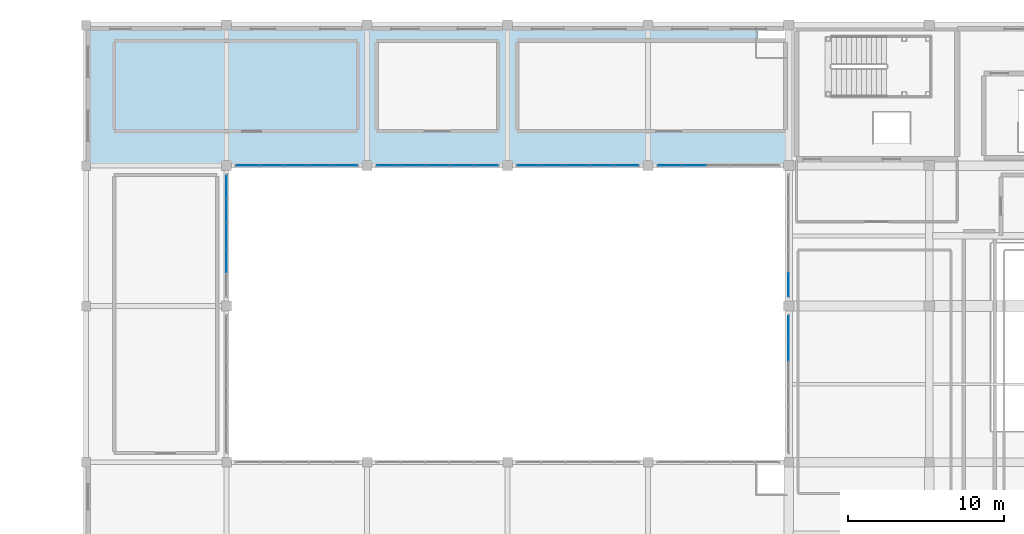
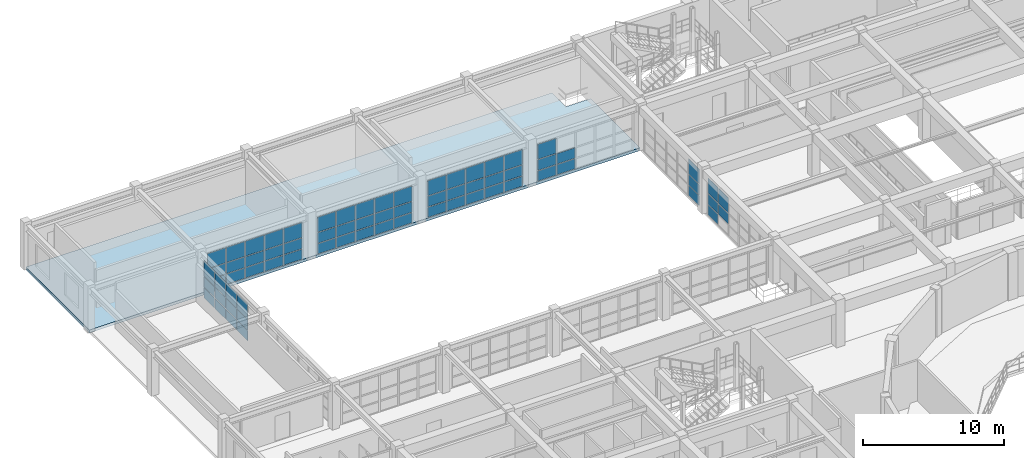
# One storey, part 86 of 110: 70 plates, 1 slab, 7 elements without a shape of their own.
"""IFC4 building model written with IfcOpenShell, lengths in metres."""

from ifc_helpers import new_model, si_unit, direction, frame, origin, origin_2d, place, context, subcontext, project, spatial, polyline, rectangle, outline, extrude, material, layer, layer_set, type_object, element, aggregate, save


model = new_model("IFC4")

# Units and contexts
model_context = context("Model", 3, precision=1e-05, world=origin(), true_north=direction((0.0, 1.0)))
body_context = subcontext(model_context, "Body", "Model", "MODEL_VIEW")
ifc_project = project(units=[si_unit("LENGTHUNIT", "METRE"), si_unit("AREAUNIT", "SQUARE_METRE"), si_unit("VOLUMEUNIT", "CUBIC_METRE"), si_unit("PLANEANGLEUNIT", "RADIAN"), si_unit("MASSUNIT", "GRAM", prefix="KILO")], contexts=[model_context])

# Site, building, storey
site_placement = place(None, origin())
site = spatial("IfcSite", under=ifc_project, at=site_placement, CompositionType="ELEMENT")
building_placement = place(site_placement, origin())
building = spatial("IfcBuilding", under=site, at=building_placement, Name="Miravela Opera House", CompositionType="ELEMENT")
storey_placement = place(building_placement, frame((0.0, 0.0, 13.60009765625)))
storey = spatial("IfcBuildingStorey", under=building, at=storey_placement, Name="L03", CompositionType="ELEMENT", Elevation=13.60009765625)

# Curtain wall, plates
ifc_material_1 = material(Name="Anodised architectural bronze aluminium 6063-T6", Category="aluminium")
curtain_wall_type = type_object("IfcCurtainWallType", Name="ARC-CW-05", PredefinedType="NOTDEFINED", material=ifc_material_1)
curtain_wall_1_placement = place(storey_placement, origin())
curtain_wall_1 = element("IfcCurtainWall", 1, at=curtain_wall_1_placement, inside=storey, type_object=curtain_wall_type, Name="Courtyard Arcade Curtain Wall CW-L03-102", PredefinedType="NOTDEFINED")
ifc_material_2 = material(Name="Acoustic laminated low-E insulating glass", Category="glass")
ifc_layer_1 = layer(ifc_material_2, 0.028076171875)
ifc_layer_set_1 = layer_set([ifc_layer_1])
plate_type = type_object("IfcPlateType", Name="ARC-CWP-28", PredefinedType="CURTAIN_PANEL", material=ifc_layer_set_1)
plate_1_placement = place(storey_placement, frame((28.37890625, 103.0, 0.06005859375), z_axis=(0.0, 0.0, 1.0), x_axis=(1.0, 0.0, 0.0)))
plate_1 = element("IfcPlate", 2, at=plate_1_placement, type_object=plate_type, Name="CW-05 panel 1.1", PredefinedType="CURTAIN_PANEL", context=body_context, shape_type="SweptSolid", body=[
    extrude(rectangle(XDim=1.47802734375, YDim=0.028076171875, at=origin_2d()), origin(), (0.0, 0.0, 1.0), 0.860107421875),
])
plate_2_placement = place(storey_placement, frame((28.37890625, 103.0, 0.97998046875), z_axis=(0.0, 0.0, 1.0), x_axis=(1.0, 0.0, 0.0)))
plate_2 = element("IfcPlate", 3, at=plate_2_placement, type_object=plate_type, Name="CW-05 panel 1.2", PredefinedType="CURTAIN_PANEL", context=body_context, shape_type="SweptSolid", body=[
    extrude(rectangle(XDim=1.47802734375, YDim=0.028076171875, at=origin_2d()), origin(), (0.0, 0.0, 1.0), 0.898193359375),
])
plate_3_placement = place(storey_placement, frame((28.37890625, 103.0, 1.93798828125), z_axis=(0.0, 0.0, 1.0), x_axis=(1.0, 0.0, 0.0)))
plate_3 = element("IfcPlate", 4, at=plate_3_placement, type_object=plate_type, Name="CW-05 panel 1.3", PredefinedType="CURTAIN_PANEL", context=body_context, shape_type="SweptSolid", body=[
    extrude(rectangle(XDim=1.47802734375, YDim=0.028076171875, at=origin_2d()), origin(), (0.0, 0.0, 1.0), 1.291748046875),
])
plate_4_placement = place(storey_placement, frame((29.931884765625, 103.0, 0.06005859375), z_axis=(0.0, 0.0, 1.0), x_axis=(1.0, 0.0, 0.0)))
plate_4 = element("IfcPlate", 5, at=plate_4_placement, type_object=plate_type, Name="CW-05 panel 2.1", PredefinedType="CURTAIN_PANEL", context=body_context, shape_type="SweptSolid", body=[
    extrude(rectangle(XDim=1.508056640625, YDim=0.028076171875, at=origin_2d()), origin(), (0.0, 0.0, 1.0), 0.860107421875),
])
plate_5_placement = place(storey_placement, frame((29.931884765625, 103.0, 0.97998046875), z_axis=(0.0, 0.0, 1.0), x_axis=(1.0, 0.0, 0.0)))
plate_5 = element("IfcPlate", 6, at=plate_5_placement, type_object=plate_type, Name="CW-05 panel 2.2", PredefinedType="CURTAIN_PANEL", context=body_context, shape_type="SweptSolid", body=[
    extrude(rectangle(XDim=1.508056640625, YDim=0.028076171875, at=origin_2d()), origin(), (0.0, 0.0, 1.0), 0.898193359375),
])
plate_6_placement = place(storey_placement, frame((29.931884765625, 103.0, 1.93798828125), z_axis=(0.0, 0.0, 1.0), x_axis=(1.0, 0.0, 0.0)))
plate_6 = element("IfcPlate", 7, at=plate_6_placement, type_object=plate_type, Name="CW-05 panel 2.3", PredefinedType="CURTAIN_PANEL", context=body_context, shape_type="SweptSolid", body=[
    extrude(rectangle(XDim=1.508056640625, YDim=0.028076171875, at=origin_2d()), origin(), (0.0, 0.0, 1.0), 1.291748046875),
])
plate_7_placement = place(storey_placement, frame((31.5, 103.0, 0.06005859375), z_axis=(0.0, 0.0, 1.0), x_axis=(1.0, 0.0, 0.0)))
plate_7 = element("IfcPlate", 8, at=plate_7_placement, type_object=plate_type, Name="CW-05 panel 3.1", PredefinedType="CURTAIN_PANEL", context=body_context, shape_type="SweptSolid", body=[
    extrude(rectangle(XDim=1.508056640625, YDim=0.028076171875, at=origin_2d()), origin(), (0.0, 0.0, 1.0), 0.860107421875),
])
plate_8_placement = place(storey_placement, frame((31.5, 103.0, 0.97998046875), z_axis=(0.0, 0.0, 1.0), x_axis=(1.0, 0.0, 0.0)))
plate_8 = element("IfcPlate", 9, at=plate_8_placement, type_object=plate_type, Name="CW-05 panel 3.2", PredefinedType="CURTAIN_PANEL", context=body_context, shape_type="SweptSolid", body=[
    extrude(rectangle(XDim=1.508056640625, YDim=0.028076171875, at=origin_2d()), origin(), (0.0, 0.0, 1.0), 0.898193359375),
])
plate_9_placement = place(storey_placement, frame((31.5, 103.0, 1.93798828125), z_axis=(0.0, 0.0, 1.0), x_axis=(1.0, 0.0, 0.0)))
plate_9 = element("IfcPlate", 10, at=plate_9_placement, type_object=plate_type, Name="CW-05 panel 3.3", PredefinedType="CURTAIN_PANEL", context=body_context, shape_type="SweptSolid", body=[
    extrude(rectangle(XDim=1.508056640625, YDim=0.028076171875, at=origin_2d()), origin(), (0.0, 0.0, 1.0), 1.291748046875),
])
plate_10_placement = place(storey_placement, frame((33.068115234375, 103.0, 0.06005859375), z_axis=(0.0, 0.0, 1.0), x_axis=(1.0, 0.0, 0.0)))
plate_10 = element("IfcPlate", 11, at=plate_10_placement, type_object=plate_type, Name="CW-05 panel 4.1", PredefinedType="CURTAIN_PANEL", context=body_context, shape_type="SweptSolid", body=[
    extrude(rectangle(XDim=1.508056640625, YDim=0.028076171875, at=origin_2d()), origin(), (0.0, 0.0, 1.0), 0.860107421875),
])
plate_11_placement = place(storey_placement, frame((33.068115234375, 103.0, 0.97998046875), z_axis=(0.0, 0.0, 1.0), x_axis=(1.0, 0.0, 0.0)))
plate_11 = element("IfcPlate", 12, at=plate_11_placement, type_object=plate_type, Name="CW-05 panel 4.2", PredefinedType="CURTAIN_PANEL", context=body_context, shape_type="SweptSolid", body=[
    extrude(rectangle(XDim=1.508056640625, YDim=0.028076171875, at=origin_2d()), origin(), (0.0, 0.0, 1.0), 0.898193359375),
])
plate_12_placement = place(storey_placement, frame((33.068115234375, 103.0, 1.93798828125), z_axis=(0.0, 0.0, 1.0), x_axis=(1.0, 0.0, 0.0)))
plate_12 = element("IfcPlate", 13, at=plate_12_placement, type_object=plate_type, Name="CW-05 panel 4.3", PredefinedType="CURTAIN_PANEL", context=body_context, shape_type="SweptSolid", body=[
    extrude(rectangle(XDim=1.508056640625, YDim=0.028076171875, at=origin_2d()), origin(), (0.0, 0.0, 1.0), 1.291748046875),
])
plate_13_placement = place(storey_placement, frame((34.62109375, 103.0, 0.06005859375), z_axis=(0.0, 0.0, 1.0), x_axis=(1.0, 0.0, 0.0)))
plate_13 = element("IfcPlate", 14, at=plate_13_placement, type_object=plate_type, Name="CW-05 panel 5.1", PredefinedType="CURTAIN_PANEL", context=body_context, shape_type="SweptSolid", body=[
    extrude(rectangle(XDim=1.47802734375, YDim=0.028076171875, at=origin_2d()), origin(), (0.0, 0.0, 1.0), 0.860107421875),
])
plate_14_placement = place(storey_placement, frame((34.62109375, 103.0, 0.97998046875), z_axis=(0.0, 0.0, 1.0), x_axis=(1.0, 0.0, 0.0)))
plate_14 = element("IfcPlate", 15, at=plate_14_placement, type_object=plate_type, Name="CW-05 panel 5.2", PredefinedType="CURTAIN_PANEL", context=body_context, shape_type="SweptSolid", body=[
    extrude(rectangle(XDim=1.47802734375, YDim=0.028076171875, at=origin_2d()), origin(), (0.0, 0.0, 1.0), 0.898193359375),
])
plate_15_placement = place(storey_placement, frame((34.62109375, 103.0, 1.93798828125), z_axis=(0.0, 0.0, 1.0), x_axis=(1.0, 0.0, 0.0)))
plate_15 = element("IfcPlate", 16, at=plate_15_placement, type_object=plate_type, Name="CW-05 panel 5.3", PredefinedType="CURTAIN_PANEL", context=body_context, shape_type="SweptSolid", body=[
    extrude(rectangle(XDim=1.47802734375, YDim=0.028076171875, at=origin_2d()), origin(), (0.0, 0.0, 1.0), 1.291748046875),
])
aggregate(curtain_wall_1, [plate_1, plate_2, plate_3, plate_4, plate_5, plate_6, plate_7, plate_8, plate_9, plate_10, plate_11, plate_12, plate_13, plate_14, plate_15])

curtain_wall_2_placement = place(storey_placement, origin())
curtain_wall_2 = element("IfcCurtainWall", 17, at=curtain_wall_2_placement, inside=storey, type_object=curtain_wall_type, Name="Courtyard Arcade Curtain Wall CW-L03-104", PredefinedType="NOTDEFINED")
plate_16_placement = place(storey_placement, frame((37.37890625, 103.0, 0.06005859375), z_axis=(0.0, 0.0, 1.0), x_axis=(1.0, 0.0, 0.0)))
plate_16 = element("IfcPlate", 18, at=plate_16_placement, type_object=plate_type, Name="CW-05 panel 1.1", PredefinedType="CURTAIN_PANEL", context=body_context, shape_type="SweptSolid", body=[
    extrude(rectangle(XDim=1.47802734375, YDim=0.028076171875, at=origin_2d()), origin(), (0.0, 0.0, 1.0), 0.860107421875),
])
plate_17_placement = place(storey_placement, frame((37.37890625, 103.0, 0.97998046875), z_axis=(0.0, 0.0, 1.0), x_axis=(1.0, 0.0, 0.0)))
plate_17 = element("IfcPlate", 19, at=plate_17_placement, type_object=plate_type, Name="CW-05 panel 1.2", PredefinedType="CURTAIN_PANEL", context=body_context, shape_type="SweptSolid", body=[
    extrude(rectangle(XDim=1.47802734375, YDim=0.028076171875, at=origin_2d()), origin(), (0.0, 0.0, 1.0), 0.898193359375),
])
plate_18_placement = place(storey_placement, frame((37.37890625, 103.0, 1.93798828125), z_axis=(0.0, 0.0, 1.0), x_axis=(1.0, 0.0, 0.0)))
plate_18 = element("IfcPlate", 20, at=plate_18_placement, type_object=plate_type, Name="CW-05 panel 1.3", PredefinedType="CURTAIN_PANEL", context=body_context, shape_type="SweptSolid", body=[
    extrude(rectangle(XDim=1.47802734375, YDim=0.028076171875, at=origin_2d()), origin(), (0.0, 0.0, 1.0), 1.291748046875),
])
plate_19_placement = place(storey_placement, frame((38.931884765625, 103.0, 0.06005859375), z_axis=(0.0, 0.0, 1.0), x_axis=(1.0, 0.0, 0.0)))
plate_19 = element("IfcPlate", 21, at=plate_19_placement, type_object=plate_type, Name="CW-05 panel 2.1", PredefinedType="CURTAIN_PANEL", context=body_context, shape_type="SweptSolid", body=[
    extrude(rectangle(XDim=1.508056640625, YDim=0.028076171875, at=origin_2d()), origin(), (0.0, 0.0, 1.0), 0.860107421875),
])
plate_20_placement = place(storey_placement, frame((38.931884765625, 103.0, 0.97998046875), z_axis=(0.0, 0.0, 1.0), x_axis=(1.0, 0.0, 0.0)))
plate_20 = element("IfcPlate", 22, at=plate_20_placement, type_object=plate_type, Name="CW-05 panel 2.2", PredefinedType="CURTAIN_PANEL", context=body_context, shape_type="SweptSolid", body=[
    extrude(rectangle(XDim=1.508056640625, YDim=0.028076171875, at=origin_2d()), origin(), (0.0, 0.0, 1.0), 0.898193359375),
])
plate_21_placement = place(storey_placement, frame((38.931884765625, 103.0, 1.93798828125), z_axis=(0.0, 0.0, 1.0), x_axis=(1.0, 0.0, 0.0)))
plate_21 = element("IfcPlate", 23, at=plate_21_placement, type_object=plate_type, Name="CW-05 panel 2.3", PredefinedType="CURTAIN_PANEL", context=body_context, shape_type="SweptSolid", body=[
    extrude(rectangle(XDim=1.508056640625, YDim=0.028076171875, at=origin_2d()), origin(), (0.0, 0.0, 1.0), 1.291748046875),
])
plate_22_placement = place(storey_placement, frame((40.5, 103.0, 0.06005859375), z_axis=(0.0, 0.0, 1.0), x_axis=(1.0, 0.0, 0.0)))
plate_22 = element("IfcPlate", 24, at=plate_22_placement, type_object=plate_type, Name="CW-05 panel 3.1", PredefinedType="CURTAIN_PANEL", context=body_context, shape_type="SweptSolid", body=[
    extrude(rectangle(XDim=1.508056640625, YDim=0.028076171875, at=origin_2d()), origin(), (0.0, 0.0, 1.0), 0.860107421875),
])
plate_23_placement = place(storey_placement, frame((40.5, 103.0, 0.97998046875), z_axis=(0.0, 0.0, 1.0), x_axis=(1.0, 0.0, 0.0)))
plate_23 = element("IfcPlate", 25, at=plate_23_placement, type_object=plate_type, Name="CW-05 panel 3.2", PredefinedType="CURTAIN_PANEL", context=body_context, shape_type="SweptSolid", body=[
    extrude(rectangle(XDim=1.508056640625, YDim=0.028076171875, at=origin_2d()), origin(), (0.0, 0.0, 1.0), 0.898193359375),
])
plate_24_placement = place(storey_placement, frame((40.5, 103.0, 1.93798828125), z_axis=(0.0, 0.0, 1.0), x_axis=(1.0, 0.0, 0.0)))
plate_24 = element("IfcPlate", 26, at=plate_24_placement, type_object=plate_type, Name="CW-05 panel 3.3", PredefinedType="CURTAIN_PANEL", context=body_context, shape_type="SweptSolid", body=[
    extrude(rectangle(XDim=1.508056640625, YDim=0.028076171875, at=origin_2d()), origin(), (0.0, 0.0, 1.0), 1.291748046875),
])
plate_25_placement = place(storey_placement, frame((42.068115234375, 103.0, 0.06005859375), z_axis=(0.0, 0.0, 1.0), x_axis=(1.0, 0.0, 0.0)))
plate_25 = element("IfcPlate", 27, at=plate_25_placement, type_object=plate_type, Name="CW-05 panel 4.1", PredefinedType="CURTAIN_PANEL", context=body_context, shape_type="SweptSolid", body=[
    extrude(rectangle(XDim=1.508056640625, YDim=0.028076171875, at=origin_2d()), origin(), (0.0, 0.0, 1.0), 0.860107421875),
])
plate_26_placement = place(storey_placement, frame((42.068115234375, 103.0, 0.97998046875), z_axis=(0.0, 0.0, 1.0), x_axis=(1.0, 0.0, 0.0)))
plate_26 = element("IfcPlate", 28, at=plate_26_placement, type_object=plate_type, Name="CW-05 panel 4.2", PredefinedType="CURTAIN_PANEL", context=body_context, shape_type="SweptSolid", body=[
    extrude(rectangle(XDim=1.508056640625, YDim=0.028076171875, at=origin_2d()), origin(), (0.0, 0.0, 1.0), 0.898193359375),
])
plate_27_placement = place(storey_placement, frame((42.068115234375, 103.0, 1.93798828125), z_axis=(0.0, 0.0, 1.0), x_axis=(1.0, 0.0, 0.0)))
plate_27 = element("IfcPlate", 29, at=plate_27_placement, type_object=plate_type, Name="CW-05 panel 4.3", PredefinedType="CURTAIN_PANEL", context=body_context, shape_type="SweptSolid", body=[
    extrude(rectangle(XDim=1.508056640625, YDim=0.028076171875, at=origin_2d()), origin(), (0.0, 0.0, 1.0), 1.291748046875),
])
plate_28_placement = place(storey_placement, frame((43.62109375, 103.0, 0.06005859375), z_axis=(0.0, 0.0, 1.0), x_axis=(1.0, 0.0, 0.0)))
plate_28 = element("IfcPlate", 30, at=plate_28_placement, type_object=plate_type, Name="CW-05 panel 5.1", PredefinedType="CURTAIN_PANEL", context=body_context, shape_type="SweptSolid", body=[
    extrude(rectangle(XDim=1.47802734375, YDim=0.028076171875, at=origin_2d()), origin(), (0.0, 0.0, 1.0), 0.860107421875),
])
plate_29_placement = place(storey_placement, frame((43.62109375, 103.0, 0.97998046875), z_axis=(0.0, 0.0, 1.0), x_axis=(1.0, 0.0, 0.0)))
plate_29 = element("IfcPlate", 31, at=plate_29_placement, type_object=plate_type, Name="CW-05 panel 5.2", PredefinedType="CURTAIN_PANEL", context=body_context, shape_type="SweptSolid", body=[
    extrude(rectangle(XDim=1.47802734375, YDim=0.028076171875, at=origin_2d()), origin(), (0.0, 0.0, 1.0), 0.898193359375),
])
plate_30_placement = place(storey_placement, frame((43.62109375, 103.0, 1.93798828125), z_axis=(0.0, 0.0, 1.0), x_axis=(1.0, 0.0, 0.0)))
plate_30 = element("IfcPlate", 32, at=plate_30_placement, type_object=plate_type, Name="CW-05 panel 5.3", PredefinedType="CURTAIN_PANEL", context=body_context, shape_type="SweptSolid", body=[
    extrude(rectangle(XDim=1.47802734375, YDim=0.028076171875, at=origin_2d()), origin(), (0.0, 0.0, 1.0), 1.291748046875),
])
aggregate(curtain_wall_2, [plate_16, plate_17, plate_18, plate_19, plate_20, plate_21, plate_22, plate_23, plate_24, plate_25, plate_26, plate_27, plate_28, plate_29, plate_30])

curtain_wall_3_placement = place(storey_placement, origin())
curtain_wall_3 = element("IfcCurtainWall", 33, at=curtain_wall_3_placement, inside=storey, type_object=curtain_wall_type, Name="Courtyard Arcade Curtain Wall CW-L03-106", PredefinedType="NOTDEFINED")
plate_31_placement = place(storey_placement, frame((46.37890625, 103.0, 0.06005859375), z_axis=(0.0, 0.0, 1.0), x_axis=(1.0, 0.0, 0.0)))
plate_31 = element("IfcPlate", 34, at=plate_31_placement, type_object=plate_type, Name="CW-05 panel 1.1", PredefinedType="CURTAIN_PANEL", context=body_context, shape_type="SweptSolid", body=[
    extrude(rectangle(XDim=1.47802734375, YDim=0.028076171875, at=origin_2d()), origin(), (0.0, 0.0, 1.0), 0.860107421875),
])
plate_32_placement = place(storey_placement, frame((46.37890625, 103.0, 0.97998046875), z_axis=(0.0, 0.0, 1.0), x_axis=(1.0, 0.0, 0.0)))
plate_32 = element("IfcPlate", 35, at=plate_32_placement, type_object=plate_type, Name="CW-05 panel 1.2", PredefinedType="CURTAIN_PANEL", context=body_context, shape_type="SweptSolid", body=[
    extrude(rectangle(XDim=1.47802734375, YDim=0.028076171875, at=origin_2d()), origin(), (0.0, 0.0, 1.0), 0.898193359375),
])
plate_33_placement = place(storey_placement, frame((46.37890625, 103.0, 1.93798828125), z_axis=(0.0, 0.0, 1.0), x_axis=(1.0, 0.0, 0.0)))
plate_33 = element("IfcPlate", 36, at=plate_33_placement, type_object=plate_type, Name="CW-05 panel 1.3", PredefinedType="CURTAIN_PANEL", context=body_context, shape_type="SweptSolid", body=[
    extrude(rectangle(XDim=1.47802734375, YDim=0.028076171875, at=origin_2d()), origin(), (0.0, 0.0, 1.0), 1.291748046875),
])
plate_34_placement = place(storey_placement, frame((47.931884765625, 103.0, 0.06005859375), z_axis=(0.0, 0.0, 1.0), x_axis=(1.0, 0.0, 0.0)))
plate_34 = element("IfcPlate", 37, at=plate_34_placement, type_object=plate_type, Name="CW-05 panel 2.1", PredefinedType="CURTAIN_PANEL", context=body_context, shape_type="SweptSolid", body=[
    extrude(rectangle(XDim=1.508056640625, YDim=0.028076171875, at=origin_2d()), origin(), (0.0, 0.0, 1.0), 0.860107421875),
])
plate_35_placement = place(storey_placement, frame((47.931884765625, 103.0, 0.97998046875), z_axis=(0.0, 0.0, 1.0), x_axis=(1.0, 0.0, 0.0)))
plate_35 = element("IfcPlate", 38, at=plate_35_placement, type_object=plate_type, Name="CW-05 panel 2.2", PredefinedType="CURTAIN_PANEL", context=body_context, shape_type="SweptSolid", body=[
    extrude(rectangle(XDim=1.508056640625, YDim=0.028076171875, at=origin_2d()), origin(), (0.0, 0.0, 1.0), 0.898193359375),
])
plate_36_placement = place(storey_placement, frame((47.931884765625, 103.0, 1.93798828125), z_axis=(0.0, 0.0, 1.0), x_axis=(1.0, 0.0, 0.0)))
plate_36 = element("IfcPlate", 39, at=plate_36_placement, type_object=plate_type, Name="CW-05 panel 2.3", PredefinedType="CURTAIN_PANEL", context=body_context, shape_type="SweptSolid", body=[
    extrude(rectangle(XDim=1.508056640625, YDim=0.028076171875, at=origin_2d()), origin(), (0.0, 0.0, 1.0), 1.291748046875),
])
plate_37_placement = place(storey_placement, frame((49.5, 103.0, 0.06005859375), z_axis=(0.0, 0.0, 1.0), x_axis=(1.0, 0.0, 0.0)))
plate_37 = element("IfcPlate", 40, at=plate_37_placement, type_object=plate_type, Name="CW-05 panel 3.1", PredefinedType="CURTAIN_PANEL", context=body_context, shape_type="SweptSolid", body=[
    extrude(rectangle(XDim=1.508056640625, YDim=0.028076171875, at=origin_2d()), origin(), (0.0, 0.0, 1.0), 0.860107421875),
])
plate_38_placement = place(storey_placement, frame((49.5, 103.0, 0.97998046875), z_axis=(0.0, 0.0, 1.0), x_axis=(1.0, 0.0, 0.0)))
plate_38 = element("IfcPlate", 41, at=plate_38_placement, type_object=plate_type, Name="CW-05 panel 3.2", PredefinedType="CURTAIN_PANEL", context=body_context, shape_type="SweptSolid", body=[
    extrude(rectangle(XDim=1.508056640625, YDim=0.028076171875, at=origin_2d()), origin(), (0.0, 0.0, 1.0), 0.898193359375),
])
plate_39_placement = place(storey_placement, frame((49.5, 103.0, 1.93798828125), z_axis=(0.0, 0.0, 1.0), x_axis=(1.0, 0.0, 0.0)))
plate_39 = element("IfcPlate", 42, at=plate_39_placement, type_object=plate_type, Name="CW-05 panel 3.3", PredefinedType="CURTAIN_PANEL", context=body_context, shape_type="SweptSolid", body=[
    extrude(rectangle(XDim=1.508056640625, YDim=0.028076171875, at=origin_2d()), origin(), (0.0, 0.0, 1.0), 1.291748046875),
])
plate_40_placement = place(storey_placement, frame((51.068115234375, 103.0, 0.06005859375), z_axis=(0.0, 0.0, 1.0), x_axis=(1.0, 0.0, 0.0)))
plate_40 = element("IfcPlate", 43, at=plate_40_placement, type_object=plate_type, Name="CW-05 panel 4.1", PredefinedType="CURTAIN_PANEL", context=body_context, shape_type="SweptSolid", body=[
    extrude(rectangle(XDim=1.508056640625, YDim=0.028076171875, at=origin_2d()), origin(), (0.0, 0.0, 1.0), 0.860107421875),
])
plate_41_placement = place(storey_placement, frame((51.068115234375, 103.0, 0.97998046875), z_axis=(0.0, 0.0, 1.0), x_axis=(1.0, 0.0, 0.0)))
plate_41 = element("IfcPlate", 44, at=plate_41_placement, type_object=plate_type, Name="CW-05 panel 4.2", PredefinedType="CURTAIN_PANEL", context=body_context, shape_type="SweptSolid", body=[
    extrude(rectangle(XDim=1.508056640625, YDim=0.028076171875, at=origin_2d()), origin(), (0.0, 0.0, 1.0), 0.898193359375),
])
plate_42_placement = place(storey_placement, frame((51.068115234375, 103.0, 1.93798828125), z_axis=(0.0, 0.0, 1.0), x_axis=(1.0, 0.0, 0.0)))
plate_42 = element("IfcPlate", 45, at=plate_42_placement, type_object=plate_type, Name="CW-05 panel 4.3", PredefinedType="CURTAIN_PANEL", context=body_context, shape_type="SweptSolid", body=[
    extrude(rectangle(XDim=1.508056640625, YDim=0.028076171875, at=origin_2d()), origin(), (0.0, 0.0, 1.0), 1.291748046875),
])
plate_43_placement = place(storey_placement, frame((52.62109375, 103.0, 0.06005859375), z_axis=(0.0, 0.0, 1.0), x_axis=(1.0, 0.0, 0.0)))
plate_43 = element("IfcPlate", 46, at=plate_43_placement, type_object=plate_type, Name="CW-05 panel 5.1", PredefinedType="CURTAIN_PANEL", context=body_context, shape_type="SweptSolid", body=[
    extrude(rectangle(XDim=1.47802734375, YDim=0.028076171875, at=origin_2d()), origin(), (0.0, 0.0, 1.0), 0.860107421875),
])
plate_44_placement = place(storey_placement, frame((52.62109375, 103.0, 0.97998046875), z_axis=(0.0, 0.0, 1.0), x_axis=(1.0, 0.0, 0.0)))
plate_44 = element("IfcPlate", 47, at=plate_44_placement, type_object=plate_type, Name="CW-05 panel 5.2", PredefinedType="CURTAIN_PANEL", context=body_context, shape_type="SweptSolid", body=[
    extrude(rectangle(XDim=1.47802734375, YDim=0.028076171875, at=origin_2d()), origin(), (0.0, 0.0, 1.0), 0.898193359375),
])
plate_45_placement = place(storey_placement, frame((52.62109375, 103.0, 1.93798828125), z_axis=(0.0, 0.0, 1.0), x_axis=(1.0, 0.0, 0.0)))
plate_45 = element("IfcPlate", 48, at=plate_45_placement, type_object=plate_type, Name="CW-05 panel 5.3", PredefinedType="CURTAIN_PANEL", context=body_context, shape_type="SweptSolid", body=[
    extrude(rectangle(XDim=1.47802734375, YDim=0.028076171875, at=origin_2d()), origin(), (0.0, 0.0, 1.0), 1.291748046875),
])
aggregate(curtain_wall_3, [plate_31, plate_32, plate_33, plate_34, plate_35, plate_36, plate_37, plate_38, plate_39, plate_40, plate_41, plate_42, plate_43, plate_44, plate_45])

curtain_wall_4_placement = place(storey_placement, origin())
curtain_wall_4 = element("IfcCurtainWall", 49, at=curtain_wall_4_placement, inside=storey, type_object=curtain_wall_type, Name="Courtyard Arcade Curtain Wall CW-L03-108", PredefinedType="NOTDEFINED")
plate_46_placement = place(storey_placement, frame((55.37890625, 103.0, 0.06005859375), z_axis=(0.0, 0.0, 1.0), x_axis=(1.0, 0.0, 0.0)))
plate_46 = element("IfcPlate", 50, at=plate_46_placement, type_object=plate_type, Name="CW-05 panel 1.1", PredefinedType="CURTAIN_PANEL", context=body_context, shape_type="SweptSolid", body=[
    extrude(rectangle(XDim=1.47802734375, YDim=0.028076171875, at=origin_2d()), origin(), (0.0, 0.0, 1.0), 0.860107421875),
])
plate_47_placement = place(storey_placement, frame((55.37890625, 103.0, 0.97998046875), z_axis=(0.0, 0.0, 1.0), x_axis=(1.0, 0.0, 0.0)))
plate_47 = element("IfcPlate", 51, at=plate_47_placement, type_object=plate_type, Name="CW-05 panel 1.2", PredefinedType="CURTAIN_PANEL", context=body_context, shape_type="SweptSolid", body=[
    extrude(rectangle(XDim=1.47802734375, YDim=0.028076171875, at=origin_2d()), origin(), (0.0, 0.0, 1.0), 0.898193359375),
])
plate_48_placement = place(storey_placement, frame((55.37890625, 103.0, 1.93798828125), z_axis=(0.0, 0.0, 1.0), x_axis=(1.0, 0.0, 0.0)))
plate_48 = element("IfcPlate", 52, at=plate_48_placement, type_object=plate_type, Name="CW-05 panel 1.3", PredefinedType="CURTAIN_PANEL", context=body_context, shape_type="SweptSolid", body=[
    extrude(rectangle(XDim=1.47802734375, YDim=0.028076171875, at=origin_2d()), origin(), (0.0, 0.0, 1.0), 1.291748046875),
])
plate_49_placement = place(storey_placement, frame((56.931884765625, 103.0, 0.06005859375), z_axis=(0.0, 0.0, 1.0), x_axis=(1.0, 0.0, 0.0)))
plate_49 = element("IfcPlate", 53, at=plate_49_placement, type_object=plate_type, Name="CW-05 panel 2.1", PredefinedType="CURTAIN_PANEL", context=body_context, shape_type="SweptSolid", body=[
    extrude(rectangle(XDim=1.508056640625, YDim=0.028076171875, at=origin_2d()), origin(), (0.0, 0.0, 1.0), 0.860107421875),
])
plate_50_placement = place(storey_placement, frame((56.931884765625, 103.0, 0.97998046875), z_axis=(0.0, 0.0, 1.0), x_axis=(1.0, 0.0, 0.0)))
plate_50 = element("IfcPlate", 54, at=plate_50_placement, type_object=plate_type, Name="CW-05 panel 2.2", PredefinedType="CURTAIN_PANEL", context=body_context, shape_type="SweptSolid", body=[
    extrude(rectangle(XDim=1.508056640625, YDim=0.028076171875, at=origin_2d()), origin(), (0.0, 0.0, 1.0), 0.898193359375),
])
aggregate(curtain_wall_4, [plate_46, plate_47, plate_48, plate_49, plate_50])

curtain_wall_5_placement = place(storey_placement, origin())
curtain_wall_5 = element("IfcCurtainWall", 55, at=curtain_wall_5_placement, inside=storey, type_object=curtain_wall_type, Name="Courtyard Arcade Curtain Wall CW-L03-110", PredefinedType="NOTDEFINED")
plate_51_placement = place(storey_placement, frame((27.0, 96.931884765625, 0.06005859375), z_axis=(0.0, 0.0, 1.0), x_axis=(0.0, 1.0, 0.0)))
plate_51 = element("IfcPlate", 56, at=plate_51_placement, type_object=plate_type, Name="CW-05 panel 2.1", PredefinedType="CURTAIN_PANEL", context=body_context, shape_type="SweptSolid", body=[
    extrude(rectangle(XDim=1.508056640625, YDim=0.028076171875, at=origin_2d()), origin(), (0.0, 0.0, 1.0), 0.860107421875),
])
plate_52_placement = place(storey_placement, frame((27.0, 96.931884765625, 0.97998046875), z_axis=(0.0, 0.0, 1.0), x_axis=(0.0, 1.0, 0.0)))
plate_52 = element("IfcPlate", 57, at=plate_52_placement, type_object=plate_type, Name="CW-05 panel 2.2", PredefinedType="CURTAIN_PANEL", context=body_context, shape_type="SweptSolid", body=[
    extrude(rectangle(XDim=1.508056640625, YDim=0.028076171875, at=origin_2d()), origin(), (0.0, 0.0, 1.0), 0.898193359375),
])
plate_53_placement = place(storey_placement, frame((27.0, 96.931884765625, 1.93798828125), z_axis=(0.0, 0.0, 1.0), x_axis=(0.0, 1.0, 0.0)))
plate_53 = element("IfcPlate", 58, at=plate_53_placement, type_object=plate_type, Name="CW-05 panel 2.3", PredefinedType="CURTAIN_PANEL", context=body_context, shape_type="SweptSolid", body=[
    extrude(rectangle(XDim=1.508056640625, YDim=0.028076171875, at=origin_2d()), origin(), (0.0, 0.0, 1.0), 1.291748046875),
])
plate_54_placement = place(storey_placement, frame((27.0, 98.5, 0.06005859375), z_axis=(0.0, 0.0, 1.0), x_axis=(0.0, 1.0, 0.0)))
plate_54 = element("IfcPlate", 59, at=plate_54_placement, type_object=plate_type, Name="CW-05 panel 3.1", PredefinedType="CURTAIN_PANEL", context=body_context, shape_type="SweptSolid", body=[
    extrude(rectangle(XDim=1.508056640625, YDim=0.028076171875, at=origin_2d()), origin(), (0.0, 0.0, 1.0), 0.860107421875),
])
plate_55_placement = place(storey_placement, frame((27.0, 98.5, 0.97998046875), z_axis=(0.0, 0.0, 1.0), x_axis=(0.0, 1.0, 0.0)))
plate_55 = element("IfcPlate", 60, at=plate_55_placement, type_object=plate_type, Name="CW-05 panel 3.2", PredefinedType="CURTAIN_PANEL", context=body_context, shape_type="SweptSolid", body=[
    extrude(rectangle(XDim=1.508056640625, YDim=0.028076171875, at=origin_2d()), origin(), (0.0, 0.0, 1.0), 0.898193359375),
])
plate_56_placement = place(storey_placement, frame((27.0, 98.5, 1.93798828125), z_axis=(0.0, 0.0, 1.0), x_axis=(0.0, 1.0, 0.0)))
plate_56 = element("IfcPlate", 61, at=plate_56_placement, type_object=plate_type, Name="CW-05 panel 3.3", PredefinedType="CURTAIN_PANEL", context=body_context, shape_type="SweptSolid", body=[
    extrude(rectangle(XDim=1.508056640625, YDim=0.028076171875, at=origin_2d()), origin(), (0.0, 0.0, 1.0), 1.291748046875),
])
plate_57_placement = place(storey_placement, frame((27.0, 100.068115234375, 0.06005859375), z_axis=(0.0, 0.0, 1.0), x_axis=(0.0, 1.0, 0.0)))
plate_57 = element("IfcPlate", 62, at=plate_57_placement, type_object=plate_type, Name="CW-05 panel 4.1", PredefinedType="CURTAIN_PANEL", context=body_context, shape_type="SweptSolid", body=[
    extrude(rectangle(XDim=1.508056640625, YDim=0.028076171875, at=origin_2d()), origin(), (0.0, 0.0, 1.0), 0.860107421875),
])
plate_58_placement = place(storey_placement, frame((27.0, 100.068115234375, 0.97998046875), z_axis=(0.0, 0.0, 1.0), x_axis=(0.0, 1.0, 0.0)))
plate_58 = element("IfcPlate", 63, at=plate_58_placement, type_object=plate_type, Name="CW-05 panel 4.2", PredefinedType="CURTAIN_PANEL", context=body_context, shape_type="SweptSolid", body=[
    extrude(rectangle(XDim=1.508056640625, YDim=0.028076171875, at=origin_2d()), origin(), (0.0, 0.0, 1.0), 0.898193359375),
])
plate_59_placement = place(storey_placement, frame((27.0, 100.068115234375, 1.93798828125), z_axis=(0.0, 0.0, 1.0), x_axis=(0.0, 1.0, 0.0)))
plate_59 = element("IfcPlate", 64, at=plate_59_placement, type_object=plate_type, Name="CW-05 panel 4.3", PredefinedType="CURTAIN_PANEL", context=body_context, shape_type="SweptSolid", body=[
    extrude(rectangle(XDim=1.508056640625, YDim=0.028076171875, at=origin_2d()), origin(), (0.0, 0.0, 1.0), 1.291748046875),
])
plate_60_placement = place(storey_placement, frame((27.0, 101.62109375, 0.06005859375), z_axis=(0.0, 0.0, 1.0), x_axis=(0.0, 1.0, 0.0)))
plate_60 = element("IfcPlate", 65, at=plate_60_placement, type_object=plate_type, Name="CW-05 panel 5.1", PredefinedType="CURTAIN_PANEL", context=body_context, shape_type="SweptSolid", body=[
    extrude(rectangle(XDim=1.47802734375, YDim=0.028076171875, at=origin_2d()), origin(), (0.0, 0.0, 1.0), 0.860107421875),
])
plate_61_placement = place(storey_placement, frame((27.0, 101.62109375, 0.97998046875), z_axis=(0.0, 0.0, 1.0), x_axis=(0.0, 1.0, 0.0)))
plate_61 = element("IfcPlate", 66, at=plate_61_placement, type_object=plate_type, Name="CW-05 panel 5.2", PredefinedType="CURTAIN_PANEL", context=body_context, shape_type="SweptSolid", body=[
    extrude(rectangle(XDim=1.47802734375, YDim=0.028076171875, at=origin_2d()), origin(), (0.0, 0.0, 1.0), 0.898193359375),
])
plate_62_placement = place(storey_placement, frame((27.0, 101.62109375, 1.93798828125), z_axis=(0.0, 0.0, 1.0), x_axis=(0.0, 1.0, 0.0)))
plate_62 = element("IfcPlate", 67, at=plate_62_placement, type_object=plate_type, Name="CW-05 panel 5.3", PredefinedType="CURTAIN_PANEL", context=body_context, shape_type="SweptSolid", body=[
    extrude(rectangle(XDim=1.47802734375, YDim=0.028076171875, at=origin_2d()), origin(), (0.0, 0.0, 1.0), 1.291748046875),
])
aggregate(curtain_wall_5, [plate_51, plate_52, plate_53, plate_54, plate_55, plate_56, plate_57, plate_58, plate_59, plate_60, plate_61, plate_62])

curtain_wall_6_placement = place(storey_placement, origin())
curtain_wall_6 = element("IfcCurtainWall", 68, at=curtain_wall_6_placement, inside=storey, type_object=curtain_wall_type, Name="Courtyard Arcade Curtain Wall CW-L03-111", PredefinedType="NOTDEFINED")
plate_63_placement = place(storey_placement, frame((63.0, 91.2099609375, 0.97998046875), z_axis=(0.0, 0.0, 1.0), x_axis=(0.0, 1.0, 0.0)))
plate_63 = element("IfcPlate", 69, at=plate_63_placement, type_object=plate_type, Name="CW-05 panel 5.2", PredefinedType="CURTAIN_PANEL", context=body_context, shape_type="SweptSolid", body=[
    extrude(rectangle(XDim=1.413330078125, YDim=0.028076171875, at=origin_2d()), origin(), (0.0, 0.0, 1.0), 0.898193359375),
])
plate_64_placement = place(storey_placement, frame((63.0, 91.2099609375, 1.93798828125), z_axis=(0.0, 0.0, 1.0), x_axis=(0.0, 1.0, 0.0)))
plate_64 = element("IfcPlate", 70, at=plate_64_placement, type_object=plate_type, Name="CW-05 panel 5.3", PredefinedType="CURTAIN_PANEL", context=body_context, shape_type="SweptSolid", body=[
    extrude(rectangle(XDim=1.413330078125, YDim=0.028076171875, at=origin_2d()), origin(), (0.0, 0.0, 1.0), 1.291748046875),
])
plate_65_placement = place(storey_placement, frame((63.0, 92.668212890625, 0.06005859375), z_axis=(0.0, 0.0, 1.0), x_axis=(0.0, 1.0, 0.0)))
plate_65 = element("IfcPlate", 71, at=plate_65_placement, type_object=plate_type, Name="CW-05 panel 6.1", PredefinedType="CURTAIN_PANEL", context=body_context, shape_type="SweptSolid", body=[
    extrude(rectangle(XDim=1.38330078125, YDim=0.028076171875, at=origin_2d()), origin(), (0.0, 0.0, 1.0), 0.860107421875),
])
plate_66_placement = place(storey_placement, frame((63.0, 92.668212890625, 0.97998046875), z_axis=(0.0, 0.0, 1.0), x_axis=(0.0, 1.0, 0.0)))
plate_66 = element("IfcPlate", 72, at=plate_66_placement, type_object=plate_type, Name="CW-05 panel 6.2", PredefinedType="CURTAIN_PANEL", context=body_context, shape_type="SweptSolid", body=[
    extrude(rectangle(XDim=1.38330078125, YDim=0.028076171875, at=origin_2d()), origin(), (0.0, 0.0, 1.0), 0.898193359375),
])
plate_67_placement = place(storey_placement, frame((63.0, 92.668212890625, 1.93798828125), z_axis=(0.0, 0.0, 1.0), x_axis=(0.0, 1.0, 0.0)))
plate_67 = element("IfcPlate", 73, at=plate_67_placement, type_object=plate_type, Name="CW-05 panel 6.3", PredefinedType="CURTAIN_PANEL", context=body_context, shape_type="SweptSolid", body=[
    extrude(rectangle(XDim=1.38330078125, YDim=0.028076171875, at=origin_2d()), origin(), (0.0, 0.0, 1.0), 1.291748046875),
])
aggregate(curtain_wall_6, [plate_63, plate_64, plate_65, plate_66, plate_67])

curtain_wall_7_placement = place(storey_placement, origin())
curtain_wall_7 = element("IfcCurtainWall", 74, at=curtain_wall_7_placement, inside=storey, type_object=curtain_wall_type, Name="Courtyard Arcade Curtain Wall CW-L03-112", PredefinedType="NOTDEFINED")
plate_68_placement = place(storey_placement, frame((63.0, 95.37890625, 0.06005859375), z_axis=(0.0, 0.0, 1.0), x_axis=(0.0, 1.0, 0.0)))
plate_68 = element("IfcPlate", 75, at=plate_68_placement, type_object=plate_type, Name="CW-05 panel 1.1", PredefinedType="CURTAIN_PANEL", context=body_context, shape_type="SweptSolid", body=[
    extrude(rectangle(XDim=1.47802734375, YDim=0.028076171875, at=origin_2d()), origin(), (0.0, 0.0, 1.0), 0.860107421875),
])
plate_69_placement = place(storey_placement, frame((63.0, 95.37890625, 0.97998046875), z_axis=(0.0, 0.0, 1.0), x_axis=(0.0, 1.0, 0.0)))
plate_69 = element("IfcPlate", 76, at=plate_69_placement, type_object=plate_type, Name="CW-05 panel 1.2", PredefinedType="CURTAIN_PANEL", context=body_context, shape_type="SweptSolid", body=[
    extrude(rectangle(XDim=1.47802734375, YDim=0.028076171875, at=origin_2d()), origin(), (0.0, 0.0, 1.0), 0.898193359375),
])
plate_70_placement = place(storey_placement, frame((63.0, 95.37890625, 1.93798828125), z_axis=(0.0, 0.0, 1.0), x_axis=(0.0, 1.0, 0.0)))
plate_70 = element("IfcPlate", 77, at=plate_70_placement, type_object=plate_type, Name="CW-05 panel 1.3", PredefinedType="CURTAIN_PANEL", context=body_context, shape_type="SweptSolid", body=[
    extrude(rectangle(XDim=1.47802734375, YDim=0.028076171875, at=origin_2d()), origin(), (0.0, 0.0, 1.0), 1.291748046875),
])
aggregate(curtain_wall_7, [plate_68, plate_69, plate_70])

# Slab
ifc_material_3 = material(Name="Concrete C35/45", Category="concrete")
ifc_layer_2 = layer(ifc_material_3, 0.239990234375)
ifc_layer_set_2 = layer_set([ifc_layer_2])
slab_type = type_object("IfcSlabType", Name="STR-SLAB-FLR-240", PredefinedType="FLOOR", material=ifc_layer_set_2)
slab_placement = place(storey_placement, frame((0.0, 0.0, -0.239990234375)))
element("IfcSlab", 78, at=slab_placement, inside=storey, type_object=slab_type, Name="Level L03 Floor Slab SLAB-L03-V3N", PredefinedType="FLOOR", context=body_context, shape_type="SweptSolid", body=[
    extrude(outline(polyline([(18.0, 103.0), (63.0, 103.0), (63.0, 110.0), (61.0, 110.0), (61.0, 112.0), (18.0, 112.0), (18.0, 103.0)])), origin(), (0.0, 0.0, 1.0), 0.239990234375),
])

save(model, "model.ifc")
